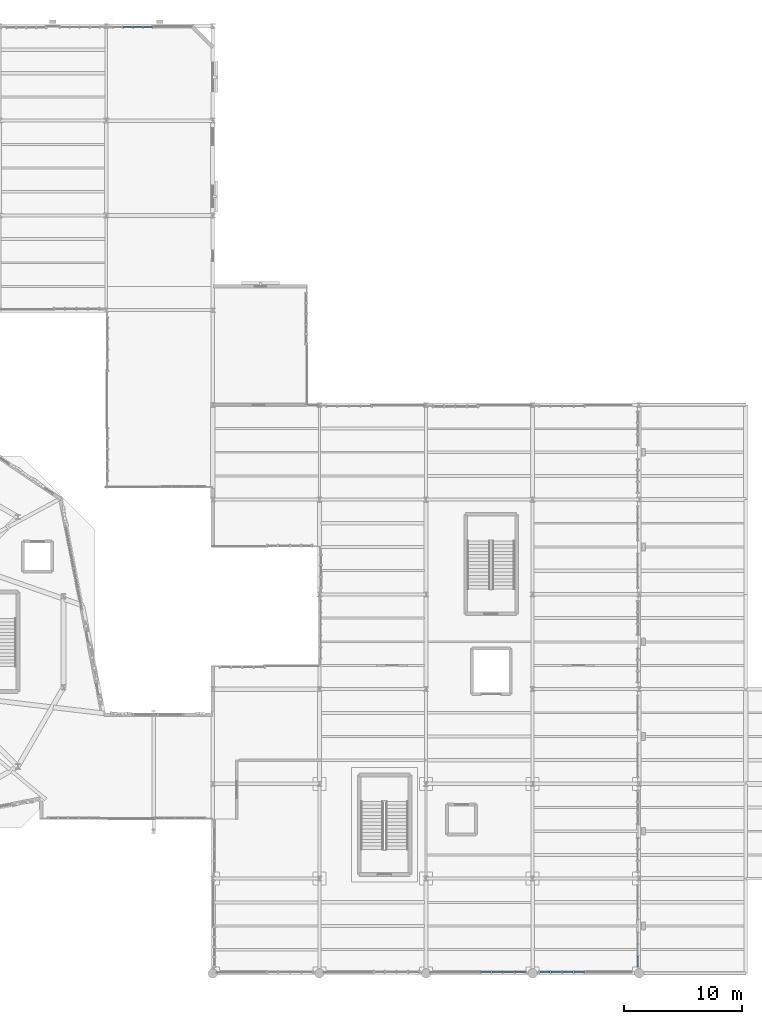
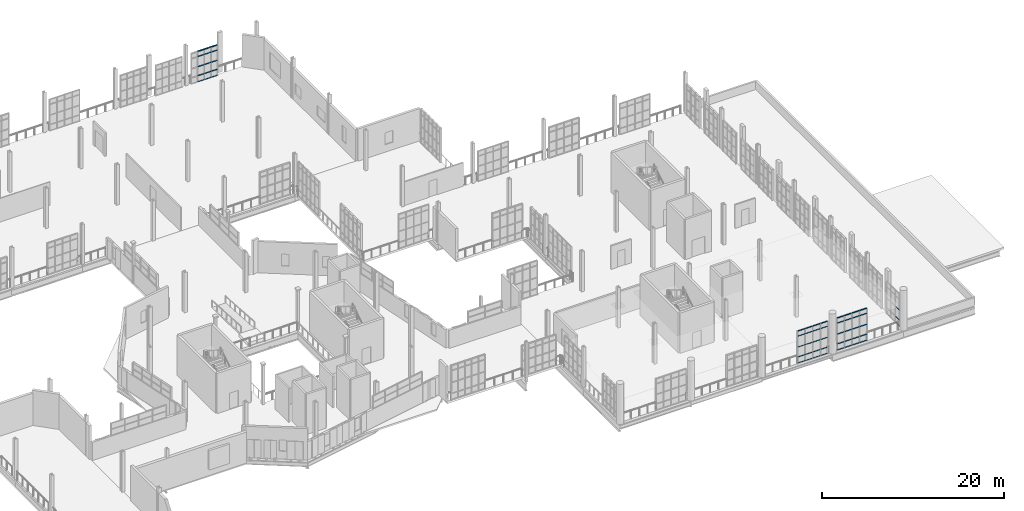
# One storey, part 98 of 142: 58 members, 4 elements without a shape of their own.
"""IFC4 building model written with IfcOpenShell, lengths in metres."""

from ifc_helpers import new_model, si_unit, direction, frame, origin, origin_2d, place, context, subcontext, project, spatial, hollow_rectangle, extrude, material, layer, layer_set, material_profile, profile_set, type_object, element, aggregate, save


model = new_model("IFC4")

# Units and contexts
model_context = context("Model", 3, precision=1e-05, world=origin(), true_north=direction((0.0, 1.0)))
body_context = subcontext(model_context, "Body", "Model", "MODEL_VIEW")
ifc_project = project(units=[si_unit("LENGTHUNIT", "METRE"), si_unit("AREAUNIT", "SQUARE_METRE"), si_unit("VOLUMEUNIT", "CUBIC_METRE"), si_unit("PLANEANGLEUNIT", "RADIAN"), si_unit("MASSUNIT", "GRAM", prefix="KILO"), si_unit("THERMODYNAMICTEMPERATUREUNIT", "KELVIN"), si_unit("POWERUNIT", "WATT")], contexts=[model_context])

# Site, building, storey
site_placement = place(None, origin())
site = spatial("IfcSite", under=ifc_project, at=site_placement, CompositionType="ELEMENT")
building_placement = place(site_placement, origin())
building = spatial("IfcBuilding", under=site, at=building_placement, Name="Zelmaris Science Centre", CompositionType="ELEMENT")
storey_placement = place(building_placement, frame((0.0, 0.0, 5.39990234375)))
storey = spatial("IfcBuildingStorey", under=building, at=storey_placement, Name="L01", CompositionType="ELEMENT", Elevation=5.39990234375)

# Curtain wall, members
ifc_material = material(Name="Anodised architectural aluminium 6063-T6", Category="aluminium")
ifc_layer_1 = layer(ifc_material, 0.219970703125, Name="Anodised architectural aluminium 6063-T6")
ifc_layer_set_1 = layer_set([ifc_layer_1], Name="Anodised architectural aluminium 6063-T6")
curtain_wall_type_1 = type_object("IfcCurtainWallType", Name="Curtain Wall CW-04", PredefinedType="USERDEFINED", material=ifc_layer_set_1)
curtain_wall_1_placement = place(storey_placement, origin())
curtain_wall_1 = element("IfcCurtainWall", 1, at=curtain_wall_1_placement, inside=storey, type_object=curtain_wall_type_1, Name="L01 Unitised curtain wall 140", ObjectType="GLAZED CURTAIN WALL", PredefinedType="USERDEFINED")
ifc_material_profile_1 = material_profile(ifc_material, hollow_rectangle(XDim=0.06005859375, YDim=0.110107421875, WallThickness=0.0029296875, at=origin_2d()), Name="ALU-TRN-60X110")
ifc_profile_set_1 = profile_set([ifc_material_profile_1], Name="Anodised architectural aluminium 6063-T6")
member_type_1 = type_object("IfcMemberType", Name="ALU-TRN-60X110", PredefinedType="USERDEFINED", material=ifc_profile_set_1)
member_1_placement = place(storey_placement, frame((100.4208984375, 87.8798828125, 0.010986328125), z_axis=(1.0, 0.0, 0.0), x_axis=(0.0, 0.0, 1.0)))
member_1 = element("IfcMember", 2, at=member_1_placement, type_object=member_type_1, Name="CW-04 transom 2.1", ObjectType="TRANSOM", PredefinedType="USERDEFINED", context=body_context, shape_type="SweptSolid", body=[
    extrude(hollow_rectangle(XDim=0.06005859375, YDim=0.110107421875, WallThickness=0.0029296875, at=origin_2d()), origin(), (0.0, 0.0, 1.0), 0.80322265625),
])
member_2_placement = place(storey_placement, frame((100.4208984375, 87.8798828125, 0.835205078125), z_axis=(1.0, 0.0, 0.0), x_axis=(0.0, 0.0, 1.0)))
member_2 = element("IfcMember", 3, at=member_2_placement, type_object=member_type_1, Name="CW-04 transom 2.2", ObjectType="TRANSOM", PredefinedType="USERDEFINED", context=body_context, shape_type="SweptSolid", body=[
    extrude(hollow_rectangle(XDim=0.06005859375, YDim=0.110107421875, WallThickness=0.0029296875, at=origin_2d()), origin(), (0.0, 0.0, 1.0), 0.80322265625),
])
member_3_placement = place(storey_placement, frame((100.4208984375, 87.8798828125, 2.049560546875), z_axis=(1.0, 0.0, 0.0), x_axis=(0.0, 0.0, 1.0)))
member_3 = element("IfcMember", 4, at=member_3_placement, type_object=member_type_1, Name="CW-04 transom 2.3", ObjectType="TRANSOM", PredefinedType="USERDEFINED", context=body_context, shape_type="SweptSolid", body=[
    extrude(hollow_rectangle(XDim=0.06005859375, YDim=0.110107421875, WallThickness=0.0029296875, at=origin_2d()), origin(), (0.0, 0.0, 1.0), 0.80322265625),
])
member_4_placement = place(storey_placement, frame((100.4208984375, 87.8798828125, 3.4140625), z_axis=(1.0, 0.0, 0.0), x_axis=(0.0, 0.0, 1.0)))
member_4 = element("IfcMember", 5, at=member_4_placement, type_object=member_type_1, Name="CW-04 transom 2.4", ObjectType="TRANSOM", PredefinedType="USERDEFINED", context=body_context, shape_type="SweptSolid", body=[
    extrude(hollow_rectangle(XDim=0.06005859375, YDim=0.110107421875, WallThickness=0.0029296875, at=origin_2d()), origin(), (0.0, 0.0, 1.0), 0.80322265625),
])
member_5_placement = place(storey_placement, frame((100.4208984375, 87.8798828125, 4.088134765625), z_axis=(1.0, 0.0, 0.0), x_axis=(0.0, 0.0, 1.0)))
member_5 = element("IfcMember", 6, at=member_5_placement, type_object=member_type_1, Name="CW-04 transom 2.5", ObjectType="TRANSOM", PredefinedType="USERDEFINED", context=body_context, shape_type="SweptSolid", body=[
    extrude(hollow_rectangle(XDim=0.06005859375, YDim=0.110107421875, WallThickness=0.0029296875, at=origin_2d()), origin(), (0.0, 0.0, 1.0), 0.80322265625),
])
member_6_placement = place(storey_placement, frame((101.27587890625, 87.8798828125, 0.010986328125), z_axis=(1.0, 0.0, 0.0), x_axis=(0.0, 0.0, 1.0)))
member_6 = element("IfcMember", 7, at=member_6_placement, type_object=member_type_1, Name="CW-04 transom 3.1", ObjectType="TRANSOM", PredefinedType="USERDEFINED", context=body_context, shape_type="SweptSolid", body=[
    extrude(hollow_rectangle(XDim=0.06005859375, YDim=0.110107421875, WallThickness=0.0029296875, at=origin_2d()), origin(), (0.0, 0.0, 1.0), 0.80322265625),
])
member_7_placement = place(storey_placement, frame((101.27587890625, 87.8798828125, 0.835205078125), z_axis=(1.0, 0.0, 0.0), x_axis=(0.0, 0.0, 1.0)))
member_7 = element("IfcMember", 8, at=member_7_placement, type_object=member_type_1, Name="CW-04 transom 3.2", ObjectType="TRANSOM", PredefinedType="USERDEFINED", context=body_context, shape_type="SweptSolid", body=[
    extrude(hollow_rectangle(XDim=0.06005859375, YDim=0.110107421875, WallThickness=0.0029296875, at=origin_2d()), origin(), (0.0, 0.0, 1.0), 0.80322265625),
])
member_8_placement = place(storey_placement, frame((101.27587890625, 87.8798828125, 2.049560546875), z_axis=(1.0, 0.0, 0.0), x_axis=(0.0, 0.0, 1.0)))
member_8 = element("IfcMember", 9, at=member_8_placement, type_object=member_type_1, Name="CW-04 transom 3.3", ObjectType="TRANSOM", PredefinedType="USERDEFINED", context=body_context, shape_type="SweptSolid", body=[
    extrude(hollow_rectangle(XDim=0.06005859375, YDim=0.110107421875, WallThickness=0.0029296875, at=origin_2d()), origin(), (0.0, 0.0, 1.0), 0.80322265625),
])
member_9_placement = place(storey_placement, frame((101.27587890625, 87.8798828125, 3.4140625), z_axis=(1.0, 0.0, 0.0), x_axis=(0.0, 0.0, 1.0)))
member_9 = element("IfcMember", 10, at=member_9_placement, type_object=member_type_1, Name="CW-04 transom 3.4", ObjectType="TRANSOM", PredefinedType="USERDEFINED", context=body_context, shape_type="SweptSolid", body=[
    extrude(hollow_rectangle(XDim=0.06005859375, YDim=0.110107421875, WallThickness=0.0029296875, at=origin_2d()), origin(), (0.0, 0.0, 1.0), 0.80322265625),
])
member_10_placement = place(storey_placement, frame((101.27587890625, 87.8798828125, 4.088134765625), z_axis=(1.0, 0.0, 0.0), x_axis=(0.0, 0.0, 1.0)))
member_10 = element("IfcMember", 11, at=member_10_placement, type_object=member_type_1, Name="CW-04 transom 3.5", ObjectType="TRANSOM", PredefinedType="USERDEFINED", context=body_context, shape_type="SweptSolid", body=[
    extrude(hollow_rectangle(XDim=0.06005859375, YDim=0.110107421875, WallThickness=0.0029296875, at=origin_2d()), origin(), (0.0, 0.0, 1.0), 0.80322265625),
])
member_11_placement = place(storey_placement, frame((102.131103515625, 87.8798828125, 0.010986328125), z_axis=(1.0, 0.0, 0.0), x_axis=(0.0, 0.0, 1.0)))
member_11 = element("IfcMember", 12, at=member_11_placement, type_object=member_type_1, Name="CW-04 transom 4.1", ObjectType="TRANSOM", PredefinedType="USERDEFINED", context=body_context, shape_type="SweptSolid", body=[
    extrude(hollow_rectangle(XDim=0.06005859375, YDim=0.110107421875, WallThickness=0.0029296875, at=origin_2d()), origin(), (0.0, 0.0, 1.0), 0.77685546875),
])
member_12_placement = place(storey_placement, frame((102.131103515625, 87.8798828125, 0.835205078125), z_axis=(1.0, 0.0, 0.0), x_axis=(0.0, 0.0, 1.0)))
member_12 = element("IfcMember", 13, at=member_12_placement, type_object=member_type_1, Name="CW-04 transom 4.2", ObjectType="TRANSOM", PredefinedType="USERDEFINED", context=body_context, shape_type="SweptSolid", body=[
    extrude(hollow_rectangle(XDim=0.06005859375, YDim=0.110107421875, WallThickness=0.0029296875, at=origin_2d()), origin(), (0.0, 0.0, 1.0), 0.77685546875),
])
member_13_placement = place(storey_placement, frame((102.131103515625, 87.8798828125, 2.049560546875), z_axis=(1.0, 0.0, 0.0), x_axis=(0.0, 0.0, 1.0)))
member_13 = element("IfcMember", 14, at=member_13_placement, type_object=member_type_1, Name="CW-04 transom 4.3", ObjectType="TRANSOM", PredefinedType="USERDEFINED", context=body_context, shape_type="SweptSolid", body=[
    extrude(hollow_rectangle(XDim=0.06005859375, YDim=0.110107421875, WallThickness=0.0029296875, at=origin_2d()), origin(), (0.0, 0.0, 1.0), 0.77685546875),
])
member_14_placement = place(storey_placement, frame((102.131103515625, 87.8798828125, 3.4140625), z_axis=(1.0, 0.0, 0.0), x_axis=(0.0, 0.0, 1.0)))
member_14 = element("IfcMember", 15, at=member_14_placement, type_object=member_type_1, Name="CW-04 transom 4.4", ObjectType="TRANSOM", PredefinedType="USERDEFINED", context=body_context, shape_type="SweptSolid", body=[
    extrude(hollow_rectangle(XDim=0.06005859375, YDim=0.110107421875, WallThickness=0.0029296875, at=origin_2d()), origin(), (0.0, 0.0, 1.0), 0.77685546875),
])
member_15_placement = place(storey_placement, frame((102.131103515625, 87.8798828125, 4.088134765625), z_axis=(1.0, 0.0, 0.0), x_axis=(0.0, 0.0, 1.0)))
member_15 = element("IfcMember", 16, at=member_15_placement, type_object=member_type_1, Name="CW-04 transom 4.5", ObjectType="TRANSOM", PredefinedType="USERDEFINED", context=body_context, shape_type="SweptSolid", body=[
    extrude(hollow_rectangle(XDim=0.06005859375, YDim=0.110107421875, WallThickness=0.0029296875, at=origin_2d()), origin(), (0.0, 0.0, 1.0), 0.77685546875),
])
aggregate(curtain_wall_1, [member_1, member_2, member_3, member_4, member_5, member_6, member_7, member_8, member_9, member_10, member_11, member_12, member_13, member_14, member_15])

curtain_wall_2_placement = place(storey_placement, origin())
curtain_wall_2 = element("IfcCurtainWall", 17, at=curtain_wall_2_placement, inside=storey, type_object=curtain_wall_type_1, Name="L01 Unitised curtain wall 160", ObjectType="GLAZED CURTAIN WALL", PredefinedType="USERDEFINED")
member_16_placement = place(storey_placement, frame((143.8798828125, 9.4873046875, 0.010986328125), z_axis=(0.0, -1.0, 0.0), x_axis=(0.0, 0.0, 1.0)))
member_16 = element("IfcMember", 18, at=member_16_placement, type_object=member_type_1, Name="CW-04 transom 3.1", ObjectType="TRANSOM", PredefinedType="USERDEFINED", context=body_context, shape_type="SweptSolid", body=[
    extrude(hollow_rectangle(XDim=0.06005859375, YDim=0.110107421875, WallThickness=0.0029296875, at=origin_2d()), origin(), (0.0, 0.0, 1.0), 0.895263671875),
])
member_17_placement = place(storey_placement, frame((143.8798828125, 9.4873046875, 0.835205078125), z_axis=(0.0, -1.0, 0.0), x_axis=(0.0, 0.0, 1.0)))
member_17 = element("IfcMember", 19, at=member_17_placement, type_object=member_type_1, Name="CW-04 transom 3.2", ObjectType="TRANSOM", PredefinedType="USERDEFINED", context=body_context, shape_type="SweptSolid", body=[
    extrude(hollow_rectangle(XDim=0.06005859375, YDim=0.110107421875, WallThickness=0.0029296875, at=origin_2d()), origin(), (0.0, 0.0, 1.0), 0.895263671875),
])
member_18_placement = place(storey_placement, frame((143.8798828125, 9.4873046875, 2.155029296875), z_axis=(0.0, -1.0, 0.0), x_axis=(0.0, 0.0, 1.0)))
member_18 = element("IfcMember", 20, at=member_18_placement, type_object=member_type_1, Name="CW-04 transom 3.3", ObjectType="TRANSOM", PredefinedType="USERDEFINED", context=body_context, shape_type="SweptSolid", body=[
    extrude(hollow_rectangle(XDim=0.06005859375, YDim=0.110107421875, WallThickness=0.0029296875, at=origin_2d()), origin(), (0.0, 0.0, 1.0), 0.895263671875),
])
aggregate(curtain_wall_2, [member_16, member_17, member_18])

ifc_layer_2 = layer(ifc_material, 0.2099609375, Name="Anodised architectural aluminium 6063-T6")
ifc_layer_set_2 = layer_set([ifc_layer_2], Name="Anodised architectural aluminium 6063-T6")
curtain_wall_type_2 = type_object("IfcCurtainWallType", Name="Curtain Wall CW-03", PredefinedType="USERDEFINED", material=ifc_layer_set_2)
curtain_wall_3_placement = place(storey_placement, origin())
curtain_wall_3 = element("IfcCurtainWall", 21, at=curtain_wall_3_placement, inside=storey, type_object=curtain_wall_type_2, Name="L01 Unitised curtain wall 163", ObjectType="GLAZED CURTAIN WALL", PredefinedType="USERDEFINED")
ifc_material_profile_2 = material_profile(ifc_material, hollow_rectangle(XDim=0.06494140625, YDim=0.1298828125, WallThickness=0.00341796875, at=origin_2d()), Name="ALU-TRN-65X130")
ifc_profile_set_2 = profile_set([ifc_material_profile_2], Name="Anodised architectural aluminium 6063-T6")
member_type_2 = type_object("IfcMemberType", Name="ALU-TRN-65X130", PredefinedType="USERDEFINED", material=ifc_profile_set_2)
member_19_placement = place(storey_placement, frame((134.403076171875, 8.1201171875, 0.013671875), z_axis=(-1.0, 0.0, 0.0), x_axis=(0.0, 0.0, 1.0)))
member_19 = element("IfcMember", 22, at=member_19_placement, type_object=member_type_2, Name="CW-03 transom 1.1", ObjectType="TRANSOM", PredefinedType="USERDEFINED", context=body_context, shape_type="SweptSolid", body=[
    extrude(hollow_rectangle(XDim=0.06494140625, YDim=0.1298828125, WallThickness=0.00341796875, at=origin_2d()), origin(), (0.0, 0.0, 1.0), 0.8896484375),
])
member_20_placement = place(storey_placement, frame((134.403076171875, 8.1201171875, 0.835205078125), z_axis=(-1.0, 0.0, 0.0), x_axis=(0.0, 0.0, 1.0)))
member_20 = element("IfcMember", 23, at=member_20_placement, type_object=member_type_2, Name="CW-03 transom 1.2", ObjectType="TRANSOM", PredefinedType="USERDEFINED", context=body_context, shape_type="SweptSolid", body=[
    extrude(hollow_rectangle(XDim=0.06494140625, YDim=0.1298828125, WallThickness=0.00341796875, at=origin_2d()), origin(), (0.0, 0.0, 1.0), 0.8896484375),
])
member_21_placement = place(storey_placement, frame((134.403076171875, 8.1201171875, 2.16015625), z_axis=(-1.0, 0.0, 0.0), x_axis=(0.0, 0.0, 1.0)))
member_21 = element("IfcMember", 24, at=member_21_placement, type_object=member_type_2, Name="CW-03 transom 1.3", ObjectType="TRANSOM", PredefinedType="USERDEFINED", context=body_context, shape_type="SweptSolid", body=[
    extrude(hollow_rectangle(XDim=0.06494140625, YDim=0.1298828125, WallThickness=0.00341796875, at=origin_2d()), origin(), (0.0, 0.0, 1.0), 0.8896484375),
])
member_22_placement = place(storey_placement, frame((134.403076171875, 8.1201171875, 3.635009765625), z_axis=(-1.0, 0.0, 0.0), x_axis=(0.0, 0.0, 1.0)))
member_22 = element("IfcMember", 25, at=member_22_placement, type_object=member_type_2, Name="CW-03 transom 1.4", ObjectType="TRANSOM", PredefinedType="USERDEFINED", context=body_context, shape_type="SweptSolid", body=[
    extrude(hollow_rectangle(XDim=0.06494140625, YDim=0.1298828125, WallThickness=0.00341796875, at=origin_2d()), origin(), (0.0, 0.0, 1.0), 0.8896484375),
])
member_23_placement = place(storey_placement, frame((134.403076171875, 8.1201171875, 4.306640625), z_axis=(-1.0, 0.0, 0.0), x_axis=(0.0, 0.0, 1.0)))
member_23 = element("IfcMember", 26, at=member_23_placement, type_object=member_type_2, Name="CW-03 transom 1.5", ObjectType="TRANSOM", PredefinedType="USERDEFINED", context=body_context, shape_type="SweptSolid", body=[
    extrude(hollow_rectangle(XDim=0.06494140625, YDim=0.1298828125, WallThickness=0.00341796875, at=origin_2d()), origin(), (0.0, 0.0, 1.0), 0.8896484375),
])
member_24_placement = place(storey_placement, frame((133.45654296875, 8.1201171875, 0.013671875), z_axis=(-1.0, 0.0, 0.0), x_axis=(0.0, 0.0, 1.0)))
member_24 = element("IfcMember", 27, at=member_24_placement, type_object=member_type_2, Name="CW-03 transom 2.1", ObjectType="TRANSOM", PredefinedType="USERDEFINED", context=body_context, shape_type="SweptSolid", body=[
    extrude(hollow_rectangle(XDim=0.06494140625, YDim=0.1298828125, WallThickness=0.00341796875, at=origin_2d()), origin(), (0.0, 0.0, 1.0), 0.91796875),
])
member_25_placement = place(storey_placement, frame((133.45654296875, 8.1201171875, 0.835205078125), z_axis=(-1.0, 0.0, 0.0), x_axis=(0.0, 0.0, 1.0)))
member_25 = element("IfcMember", 28, at=member_25_placement, type_object=member_type_2, Name="CW-03 transom 2.2", ObjectType="TRANSOM", PredefinedType="USERDEFINED", context=body_context, shape_type="SweptSolid", body=[
    extrude(hollow_rectangle(XDim=0.06494140625, YDim=0.1298828125, WallThickness=0.00341796875, at=origin_2d()), origin(), (0.0, 0.0, 1.0), 0.91796875),
])
member_26_placement = place(storey_placement, frame((133.45654296875, 8.1201171875, 2.16015625), z_axis=(-1.0, 0.0, 0.0), x_axis=(0.0, 0.0, 1.0)))
member_26 = element("IfcMember", 29, at=member_26_placement, type_object=member_type_2, Name="CW-03 transom 2.3", ObjectType="TRANSOM", PredefinedType="USERDEFINED", context=body_context, shape_type="SweptSolid", body=[
    extrude(hollow_rectangle(XDim=0.06494140625, YDim=0.1298828125, WallThickness=0.00341796875, at=origin_2d()), origin(), (0.0, 0.0, 1.0), 0.91796875),
])
member_27_placement = place(storey_placement, frame((133.45654296875, 8.1201171875, 3.635009765625), z_axis=(-1.0, 0.0, 0.0), x_axis=(0.0, 0.0, 1.0)))
member_27 = element("IfcMember", 30, at=member_27_placement, type_object=member_type_2, Name="CW-03 transom 2.4", ObjectType="TRANSOM", PredefinedType="USERDEFINED", context=body_context, shape_type="SweptSolid", body=[
    extrude(hollow_rectangle(XDim=0.06494140625, YDim=0.1298828125, WallThickness=0.00341796875, at=origin_2d()), origin(), (0.0, 0.0, 1.0), 0.91796875),
])
member_28_placement = place(storey_placement, frame((133.45654296875, 8.1201171875, 4.306640625), z_axis=(-1.0, 0.0, 0.0), x_axis=(0.0, 0.0, 1.0)))
member_28 = element("IfcMember", 31, at=member_28_placement, type_object=member_type_2, Name="CW-03 transom 2.5", ObjectType="TRANSOM", PredefinedType="USERDEFINED", context=body_context, shape_type="SweptSolid", body=[
    extrude(hollow_rectangle(XDim=0.06494140625, YDim=0.1298828125, WallThickness=0.00341796875, at=origin_2d()), origin(), (0.0, 0.0, 1.0), 0.91796875),
])
member_29_placement = place(storey_placement, frame((132.4814453125, 8.1201171875, 0.013671875), z_axis=(-1.0, 0.0, 0.0), x_axis=(0.0, 0.0, 1.0)))
member_29 = element("IfcMember", 32, at=member_29_placement, type_object=member_type_2, Name="CW-03 transom 3.1", ObjectType="TRANSOM", PredefinedType="USERDEFINED", context=body_context, shape_type="SweptSolid", body=[
    extrude(hollow_rectangle(XDim=0.06494140625, YDim=0.1298828125, WallThickness=0.00341796875, at=origin_2d()), origin(), (0.0, 0.0, 1.0), 0.91796875),
])
member_30_placement = place(storey_placement, frame((132.4814453125, 8.1201171875, 0.835205078125), z_axis=(-1.0, 0.0, 0.0), x_axis=(0.0, 0.0, 1.0)))
member_30 = element("IfcMember", 33, at=member_30_placement, type_object=member_type_2, Name="CW-03 transom 3.2", ObjectType="TRANSOM", PredefinedType="USERDEFINED", context=body_context, shape_type="SweptSolid", body=[
    extrude(hollow_rectangle(XDim=0.06494140625, YDim=0.1298828125, WallThickness=0.00341796875, at=origin_2d()), origin(), (0.0, 0.0, 1.0), 0.91796875),
])
member_31_placement = place(storey_placement, frame((132.4814453125, 8.1201171875, 2.16015625), z_axis=(-1.0, 0.0, 0.0), x_axis=(0.0, 0.0, 1.0)))
member_31 = element("IfcMember", 34, at=member_31_placement, type_object=member_type_2, Name="CW-03 transom 3.3", ObjectType="TRANSOM", PredefinedType="USERDEFINED", context=body_context, shape_type="SweptSolid", body=[
    extrude(hollow_rectangle(XDim=0.06494140625, YDim=0.1298828125, WallThickness=0.00341796875, at=origin_2d()), origin(), (0.0, 0.0, 1.0), 0.91796875),
])
member_32_placement = place(storey_placement, frame((132.4814453125, 8.1201171875, 3.635009765625), z_axis=(-1.0, 0.0, 0.0), x_axis=(0.0, 0.0, 1.0)))
member_32 = element("IfcMember", 35, at=member_32_placement, type_object=member_type_2, Name="CW-03 transom 3.4", ObjectType="TRANSOM", PredefinedType="USERDEFINED", context=body_context, shape_type="SweptSolid", body=[
    extrude(hollow_rectangle(XDim=0.06494140625, YDim=0.1298828125, WallThickness=0.00341796875, at=origin_2d()), origin(), (0.0, 0.0, 1.0), 0.91796875),
])
member_33_placement = place(storey_placement, frame((132.4814453125, 8.1201171875, 4.306640625), z_axis=(-1.0, 0.0, 0.0), x_axis=(0.0, 0.0, 1.0)))
member_33 = element("IfcMember", 36, at=member_33_placement, type_object=member_type_2, Name="CW-03 transom 3.5", ObjectType="TRANSOM", PredefinedType="USERDEFINED", context=body_context, shape_type="SweptSolid", body=[
    extrude(hollow_rectangle(XDim=0.06494140625, YDim=0.1298828125, WallThickness=0.00341796875, at=origin_2d()), origin(), (0.0, 0.0, 1.0), 0.91796875),
])
member_34_placement = place(storey_placement, frame((131.506591796875, 8.1201171875, 0.013671875), z_axis=(-1.0, 0.0, 0.0), x_axis=(0.0, 0.0, 1.0)))
member_34 = element("IfcMember", 37, at=member_34_placement, type_object=member_type_2, Name="CW-03 transom 4.1", ObjectType="TRANSOM", PredefinedType="USERDEFINED", context=body_context, shape_type="SweptSolid", body=[
    extrude(hollow_rectangle(XDim=0.06494140625, YDim=0.1298828125, WallThickness=0.00341796875, at=origin_2d()), origin(), (0.0, 0.0, 1.0), 0.8896484375),
])
member_35_placement = place(storey_placement, frame((131.506591796875, 8.1201171875, 0.835205078125), z_axis=(-1.0, 0.0, 0.0), x_axis=(0.0, 0.0, 1.0)))
member_35 = element("IfcMember", 38, at=member_35_placement, type_object=member_type_2, Name="CW-03 transom 4.2", ObjectType="TRANSOM", PredefinedType="USERDEFINED", context=body_context, shape_type="SweptSolid", body=[
    extrude(hollow_rectangle(XDim=0.06494140625, YDim=0.1298828125, WallThickness=0.00341796875, at=origin_2d()), origin(), (0.0, 0.0, 1.0), 0.8896484375),
])
member_36_placement = place(storey_placement, frame((131.506591796875, 8.1201171875, 2.16015625), z_axis=(-1.0, 0.0, 0.0), x_axis=(0.0, 0.0, 1.0)))
member_36 = element("IfcMember", 39, at=member_36_placement, type_object=member_type_2, Name="CW-03 transom 4.3", ObjectType="TRANSOM", PredefinedType="USERDEFINED", context=body_context, shape_type="SweptSolid", body=[
    extrude(hollow_rectangle(XDim=0.06494140625, YDim=0.1298828125, WallThickness=0.00341796875, at=origin_2d()), origin(), (0.0, 0.0, 1.0), 0.8896484375),
])
member_37_placement = place(storey_placement, frame((131.506591796875, 8.1201171875, 3.635009765625), z_axis=(-1.0, 0.0, 0.0), x_axis=(0.0, 0.0, 1.0)))
member_37 = element("IfcMember", 40, at=member_37_placement, type_object=member_type_2, Name="CW-03 transom 4.4", ObjectType="TRANSOM", PredefinedType="USERDEFINED", context=body_context, shape_type="SweptSolid", body=[
    extrude(hollow_rectangle(XDim=0.06494140625, YDim=0.1298828125, WallThickness=0.00341796875, at=origin_2d()), origin(), (0.0, 0.0, 1.0), 0.8896484375),
])
member_38_placement = place(storey_placement, frame((131.506591796875, 8.1201171875, 4.306640625), z_axis=(-1.0, 0.0, 0.0), x_axis=(0.0, 0.0, 1.0)))
member_38 = element("IfcMember", 41, at=member_38_placement, type_object=member_type_2, Name="CW-03 transom 4.5", ObjectType="TRANSOM", PredefinedType="USERDEFINED", context=body_context, shape_type="SweptSolid", body=[
    extrude(hollow_rectangle(XDim=0.06494140625, YDim=0.1298828125, WallThickness=0.00341796875, at=origin_2d()), origin(), (0.0, 0.0, 1.0), 0.8896484375),
])
aggregate(curtain_wall_3, [member_19, member_20, member_21, member_22, member_23, member_24, member_25, member_26, member_27, member_28, member_29, member_30, member_31, member_32, member_33, member_34, member_35, member_36, member_37, member_38])

ifc_layer_3 = layer(ifc_material, 0.199951171875, Name="Anodised architectural aluminium 6063-T6")
ifc_layer_set_3 = layer_set([ifc_layer_3], Name="Anodised architectural aluminium 6063-T6")
curtain_wall_type_3 = type_object("IfcCurtainWallType", Name="Curtain Wall CW-02", PredefinedType="USERDEFINED", material=ifc_layer_set_3)
curtain_wall_4_placement = place(storey_placement, origin())
curtain_wall_4 = element("IfcCurtainWall", 42, at=curtain_wall_4_placement, inside=storey, type_object=curtain_wall_type_3, Name="L01 Unitised curtain wall 162", ObjectType="GLAZED CURTAIN WALL", PredefinedType="USERDEFINED")
ifc_material_profile_3 = material_profile(ifc_material, hollow_rectangle(XDim=0.074951171875, YDim=0.159912109375, WallThickness=0.00390625, at=origin_2d()), Name="ALU-TRN-75X160")
ifc_profile_set_3 = profile_set([ifc_material_profile_3], Name="Anodised architectural aluminium 6063-T6")
member_type_3 = type_object("IfcMemberType", Name="ALU-TRN-75X160", PredefinedType="USERDEFINED", material=ifc_profile_set_3)
member_39_placement = place(storey_placement, frame((139.373046875, 8.1201171875, 0.0185546875), z_axis=(-1.0, 0.0, 0.0), x_axis=(0.0, 0.0, 1.0)))
member_39 = element("IfcMember", 43, at=member_39_placement, type_object=member_type_3, Name="CW-02 transom 1.1", ObjectType="TRANSOM", PredefinedType="USERDEFINED", context=body_context, shape_type="SweptSolid", body=[
    extrude(hollow_rectangle(XDim=0.074951171875, YDim=0.159912109375, WallThickness=0.00390625, at=origin_2d()), origin(), (0.0, 0.0, 1.0), 0.87451171875),
])
member_40_placement = place(storey_placement, frame((139.373046875, 8.1201171875, 0.835205078125), z_axis=(-1.0, 0.0, 0.0), x_axis=(0.0, 0.0, 1.0)))
member_40 = element("IfcMember", 44, at=member_40_placement, type_object=member_type_3, Name="CW-02 transom 1.2", ObjectType="TRANSOM", PredefinedType="USERDEFINED", context=body_context, shape_type="SweptSolid", body=[
    extrude(hollow_rectangle(XDim=0.074951171875, YDim=0.159912109375, WallThickness=0.00390625, at=origin_2d()), origin(), (0.0, 0.0, 1.0), 0.87451171875),
])
member_41_placement = place(storey_placement, frame((139.373046875, 8.1201171875, 2.16015625), z_axis=(-1.0, 0.0, 0.0), x_axis=(0.0, 0.0, 1.0)))
member_41 = element("IfcMember", 45, at=member_41_placement, type_object=member_type_3, Name="CW-02 transom 1.3", ObjectType="TRANSOM", PredefinedType="USERDEFINED", context=body_context, shape_type="SweptSolid", body=[
    extrude(hollow_rectangle(XDim=0.074951171875, YDim=0.159912109375, WallThickness=0.00390625, at=origin_2d()), origin(), (0.0, 0.0, 1.0), 0.87451171875),
])
member_42_placement = place(storey_placement, frame((139.373046875, 8.1201171875, 3.635009765625), z_axis=(-1.0, 0.0, 0.0), x_axis=(0.0, 0.0, 1.0)))
member_42 = element("IfcMember", 46, at=member_42_placement, type_object=member_type_3, Name="CW-02 transom 1.4", ObjectType="TRANSOM", PredefinedType="USERDEFINED", context=body_context, shape_type="SweptSolid", body=[
    extrude(hollow_rectangle(XDim=0.074951171875, YDim=0.159912109375, WallThickness=0.00390625, at=origin_2d()), origin(), (0.0, 0.0, 1.0), 0.87451171875),
])
member_43_placement = place(storey_placement, frame((139.373046875, 8.1201171875, 4.301513671875), z_axis=(-1.0, 0.0, 0.0), x_axis=(0.0, 0.0, 1.0)))
member_43 = element("IfcMember", 47, at=member_43_placement, type_object=member_type_3, Name="CW-02 transom 1.5", ObjectType="TRANSOM", PredefinedType="USERDEFINED", context=body_context, shape_type="SweptSolid", body=[
    extrude(hollow_rectangle(XDim=0.074951171875, YDim=0.159912109375, WallThickness=0.00390625, at=origin_2d()), origin(), (0.0, 0.0, 1.0), 0.87451171875),
])
member_44_placement = place(storey_placement, frame((138.431396484375, 8.1201171875, 0.0185546875), z_axis=(-1.0, 0.0, 0.0), x_axis=(0.0, 0.0, 1.0)))
member_44 = element("IfcMember", 48, at=member_44_placement, type_object=member_type_3, Name="CW-02 transom 2.1", ObjectType="TRANSOM", PredefinedType="USERDEFINED", context=body_context, shape_type="SweptSolid", body=[
    extrude(hollow_rectangle(XDim=0.074951171875, YDim=0.159912109375, WallThickness=0.00390625, at=origin_2d()), origin(), (0.0, 0.0, 1.0), 0.907958984375),
])
member_45_placement = place(storey_placement, frame((138.431396484375, 8.1201171875, 0.835205078125), z_axis=(-1.0, 0.0, 0.0), x_axis=(0.0, 0.0, 1.0)))
member_45 = element("IfcMember", 49, at=member_45_placement, type_object=member_type_3, Name="CW-02 transom 2.2", ObjectType="TRANSOM", PredefinedType="USERDEFINED", context=body_context, shape_type="SweptSolid", body=[
    extrude(hollow_rectangle(XDim=0.074951171875, YDim=0.159912109375, WallThickness=0.00390625, at=origin_2d()), origin(), (0.0, 0.0, 1.0), 0.907958984375),
])
member_46_placement = place(storey_placement, frame((138.431396484375, 8.1201171875, 2.16015625), z_axis=(-1.0, 0.0, 0.0), x_axis=(0.0, 0.0, 1.0)))
member_46 = element("IfcMember", 50, at=member_46_placement, type_object=member_type_3, Name="CW-02 transom 2.3", ObjectType="TRANSOM", PredefinedType="USERDEFINED", context=body_context, shape_type="SweptSolid", body=[
    extrude(hollow_rectangle(XDim=0.074951171875, YDim=0.159912109375, WallThickness=0.00390625, at=origin_2d()), origin(), (0.0, 0.0, 1.0), 0.907958984375),
])
member_47_placement = place(storey_placement, frame((138.431396484375, 8.1201171875, 3.635009765625), z_axis=(-1.0, 0.0, 0.0), x_axis=(0.0, 0.0, 1.0)))
member_47 = element("IfcMember", 51, at=member_47_placement, type_object=member_type_3, Name="CW-02 transom 2.4", ObjectType="TRANSOM", PredefinedType="USERDEFINED", context=body_context, shape_type="SweptSolid", body=[
    extrude(hollow_rectangle(XDim=0.074951171875, YDim=0.159912109375, WallThickness=0.00390625, at=origin_2d()), origin(), (0.0, 0.0, 1.0), 0.907958984375),
])
member_48_placement = place(storey_placement, frame((138.431396484375, 8.1201171875, 4.301513671875), z_axis=(-1.0, 0.0, 0.0), x_axis=(0.0, 0.0, 1.0)))
member_48 = element("IfcMember", 52, at=member_48_placement, type_object=member_type_3, Name="CW-02 transom 2.5", ObjectType="TRANSOM", PredefinedType="USERDEFINED", context=body_context, shape_type="SweptSolid", body=[
    extrude(hollow_rectangle(XDim=0.074951171875, YDim=0.159912109375, WallThickness=0.00390625, at=origin_2d()), origin(), (0.0, 0.0, 1.0), 0.907958984375),
])
member_49_placement = place(storey_placement, frame((137.45654296875, 8.1201171875, 0.0185546875), z_axis=(-1.0, 0.0, 0.0), x_axis=(0.0, 0.0, 1.0)))
member_49 = element("IfcMember", 53, at=member_49_placement, type_object=member_type_3, Name="CW-02 transom 3.1", ObjectType="TRANSOM", PredefinedType="USERDEFINED", context=body_context, shape_type="SweptSolid", body=[
    extrude(hollow_rectangle(XDim=0.074951171875, YDim=0.159912109375, WallThickness=0.00390625, at=origin_2d()), origin(), (0.0, 0.0, 1.0), 0.907958984375),
])
member_50_placement = place(storey_placement, frame((137.45654296875, 8.1201171875, 0.835205078125), z_axis=(-1.0, 0.0, 0.0), x_axis=(0.0, 0.0, 1.0)))
member_50 = element("IfcMember", 54, at=member_50_placement, type_object=member_type_3, Name="CW-02 transom 3.2", ObjectType="TRANSOM", PredefinedType="USERDEFINED", context=body_context, shape_type="SweptSolid", body=[
    extrude(hollow_rectangle(XDim=0.074951171875, YDim=0.159912109375, WallThickness=0.00390625, at=origin_2d()), origin(), (0.0, 0.0, 1.0), 0.907958984375),
])
member_51_placement = place(storey_placement, frame((137.45654296875, 8.1201171875, 2.16015625), z_axis=(-1.0, 0.0, 0.0), x_axis=(0.0, 0.0, 1.0)))
member_51 = element("IfcMember", 55, at=member_51_placement, type_object=member_type_3, Name="CW-02 transom 3.3", ObjectType="TRANSOM", PredefinedType="USERDEFINED", context=body_context, shape_type="SweptSolid", body=[
    extrude(hollow_rectangle(XDim=0.074951171875, YDim=0.159912109375, WallThickness=0.00390625, at=origin_2d()), origin(), (0.0, 0.0, 1.0), 0.907958984375),
])
member_52_placement = place(storey_placement, frame((137.45654296875, 8.1201171875, 3.635009765625), z_axis=(-1.0, 0.0, 0.0), x_axis=(0.0, 0.0, 1.0)))
member_52 = element("IfcMember", 56, at=member_52_placement, type_object=member_type_3, Name="CW-02 transom 3.4", ObjectType="TRANSOM", PredefinedType="USERDEFINED", context=body_context, shape_type="SweptSolid", body=[
    extrude(hollow_rectangle(XDim=0.074951171875, YDim=0.159912109375, WallThickness=0.00390625, at=origin_2d()), origin(), (0.0, 0.0, 1.0), 0.907958984375),
])
member_53_placement = place(storey_placement, frame((137.45654296875, 8.1201171875, 4.301513671875), z_axis=(-1.0, 0.0, 0.0), x_axis=(0.0, 0.0, 1.0)))
member_53 = element("IfcMember", 57, at=member_53_placement, type_object=member_type_3, Name="CW-02 transom 3.5", ObjectType="TRANSOM", PredefinedType="USERDEFINED", context=body_context, shape_type="SweptSolid", body=[
    extrude(hollow_rectangle(XDim=0.074951171875, YDim=0.159912109375, WallThickness=0.00390625, at=origin_2d()), origin(), (0.0, 0.0, 1.0), 0.907958984375),
])
member_54_placement = place(storey_placement, frame((136.4814453125, 8.1201171875, 0.0185546875), z_axis=(-1.0, 0.0, 0.0), x_axis=(0.0, 0.0, 1.0)))
member_54 = element("IfcMember", 58, at=member_54_placement, type_object=member_type_3, Name="CW-02 transom 4.1", ObjectType="TRANSOM", PredefinedType="USERDEFINED", context=body_context, shape_type="SweptSolid", body=[
    extrude(hollow_rectangle(XDim=0.074951171875, YDim=0.159912109375, WallThickness=0.00390625, at=origin_2d()), origin(), (0.0, 0.0, 1.0), 0.87451171875),
])
member_55_placement = place(storey_placement, frame((136.4814453125, 8.1201171875, 0.835205078125), z_axis=(-1.0, 0.0, 0.0), x_axis=(0.0, 0.0, 1.0)))
member_55 = element("IfcMember", 59, at=member_55_placement, type_object=member_type_3, Name="CW-02 transom 4.2", ObjectType="TRANSOM", PredefinedType="USERDEFINED", context=body_context, shape_type="SweptSolid", body=[
    extrude(hollow_rectangle(XDim=0.074951171875, YDim=0.159912109375, WallThickness=0.00390625, at=origin_2d()), origin(), (0.0, 0.0, 1.0), 0.87451171875),
])
member_56_placement = place(storey_placement, frame((136.4814453125, 8.1201171875, 2.16015625), z_axis=(-1.0, 0.0, 0.0), x_axis=(0.0, 0.0, 1.0)))
member_56 = element("IfcMember", 60, at=member_56_placement, type_object=member_type_3, Name="CW-02 transom 4.3", ObjectType="TRANSOM", PredefinedType="USERDEFINED", context=body_context, shape_type="SweptSolid", body=[
    extrude(hollow_rectangle(XDim=0.074951171875, YDim=0.159912109375, WallThickness=0.00390625, at=origin_2d()), origin(), (0.0, 0.0, 1.0), 0.87451171875),
])
member_57_placement = place(storey_placement, frame((136.4814453125, 8.1201171875, 3.635009765625), z_axis=(-1.0, 0.0, 0.0), x_axis=(0.0, 0.0, 1.0)))
member_57 = element("IfcMember", 61, at=member_57_placement, type_object=member_type_3, Name="CW-02 transom 4.4", ObjectType="TRANSOM", PredefinedType="USERDEFINED", context=body_context, shape_type="SweptSolid", body=[
    extrude(hollow_rectangle(XDim=0.074951171875, YDim=0.159912109375, WallThickness=0.00390625, at=origin_2d()), origin(), (0.0, 0.0, 1.0), 0.87451171875),
])
member_58_placement = place(storey_placement, frame((136.4814453125, 8.1201171875, 4.301513671875), z_axis=(-1.0, 0.0, 0.0), x_axis=(0.0, 0.0, 1.0)))
member_58 = element("IfcMember", 62, at=member_58_placement, type_object=member_type_3, Name="CW-02 transom 4.5", ObjectType="TRANSOM", PredefinedType="USERDEFINED", context=body_context, shape_type="SweptSolid", body=[
    extrude(hollow_rectangle(XDim=0.074951171875, YDim=0.159912109375, WallThickness=0.00390625, at=origin_2d()), origin(), (0.0, 0.0, 1.0), 0.87451171875),
])
aggregate(curtain_wall_4, [member_39, member_40, member_41, member_42, member_43, member_44, member_45, member_46, member_47, member_48, member_49, member_50, member_51, member_52, member_53, member_54, member_55, member_56, member_57, member_58])

save(model, "model.ifc")
